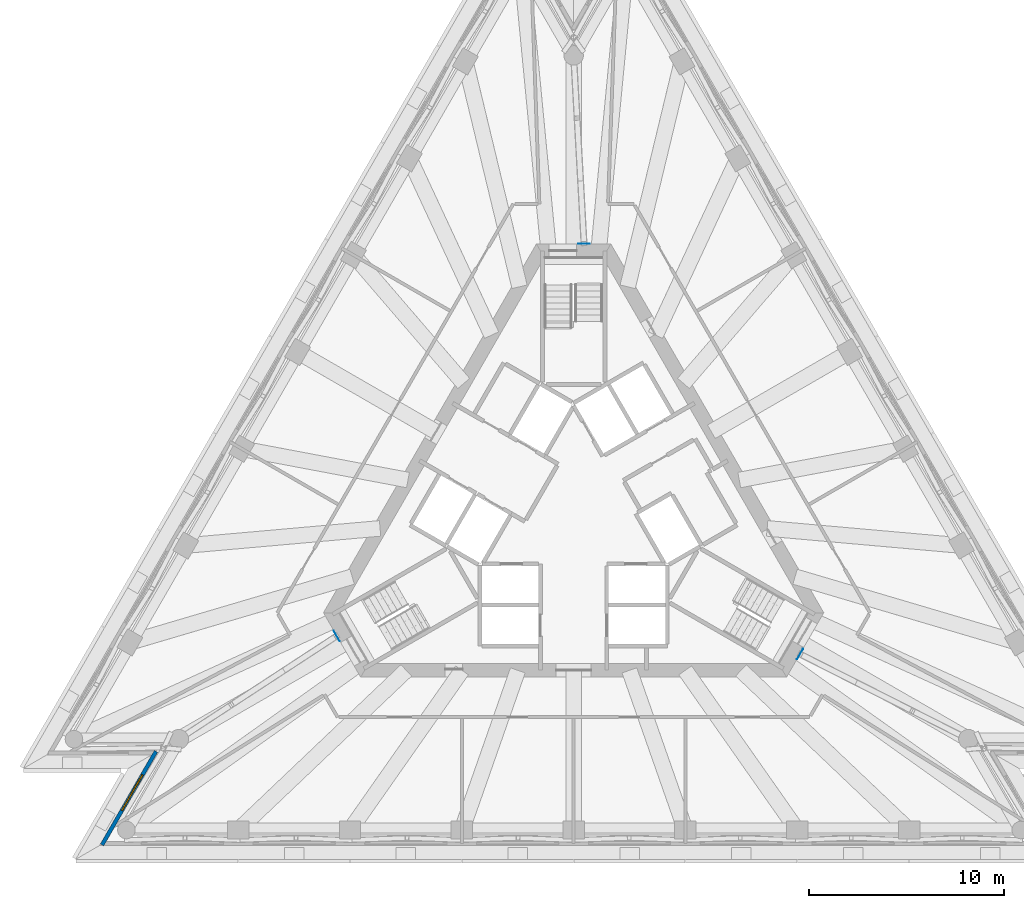
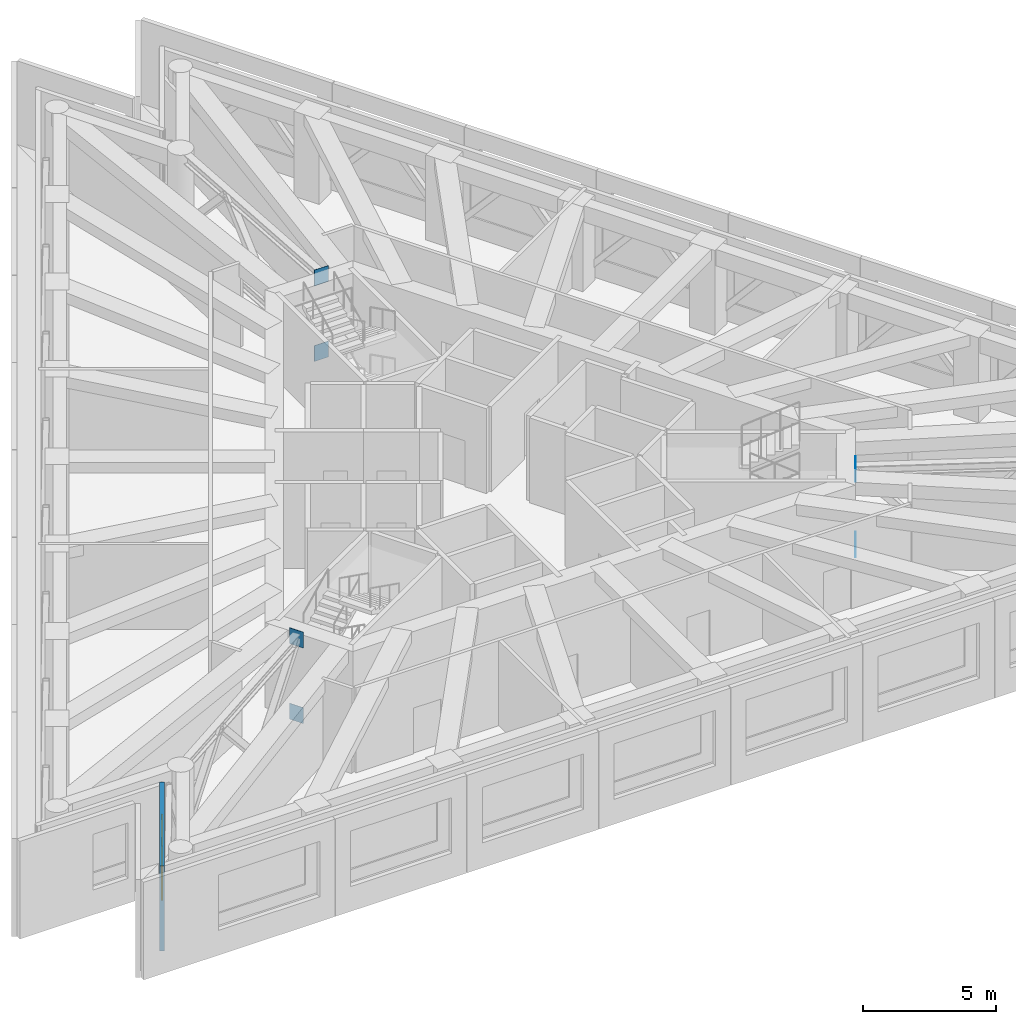
# One storey, part 5 of 12: 6 plates, 1 wall, 1 window, 1 opening.
"""IFC4 building model written with IfcOpenShell, lengths in metres."""

from ifc_helpers import new_model, si_unit, direction, frame, frame_2d, origin, origin_2d, place, context, subcontext, project, spatial, rectangle, extrude, material, layer, layer_set, layer_usage, type_object, element, fill, save


model = new_model("IFC4")

# Units and contexts
model_context = context("Model", 3, precision=1e-05, world=origin(), true_north=direction((0.0, 1.0)))
body_context = subcontext(model_context, "Body", "Model", "MODEL_VIEW")
ifc_project = project(units=[si_unit("LENGTHUNIT", "METRE"), si_unit("AREAUNIT", "SQUARE_METRE"), si_unit("VOLUMEUNIT", "CUBIC_METRE"), si_unit("PLANEANGLEUNIT", "RADIAN"), si_unit("MASSUNIT", "GRAM", prefix="KILO")], contexts=[model_context])

# Site, building, storey
site_placement = place(None, origin())
site = spatial("IfcSite", under=ifc_project, at=site_placement, CompositionType="ELEMENT")
building_placement = place(site_placement, origin())
building = spatial("IfcBuilding", under=site, at=building_placement, Name="Triada Interchange Tower", CompositionType="ELEMENT")
storey_placement = place(building_placement, frame((0.0, 0.0, 251.300048828125)))
storey = spatial("IfcBuildingStorey", under=building, at=storey_placement, Name="L59", CompositionType="ELEMENT", Elevation=251.300048828125)

# Plates
ifc_material_1 = material(Name="Steel S460M", Category="steel")
ifc_layer_1 = layer(ifc_material_1, 0.01806640625)
ifc_layer_set_1 = layer_set([ifc_layer_1], Name="Outrigger end plate 18")
plate_type = type_object("IfcPlateType", Name="Outrigger end plate 18", PredefinedType="SHEET", material=ifc_layer_set_1)
for number, where, z_axis, x_axis, name in (
    (1, (0.533935546875, 13.708984375, -0.14990234375), (0.0, 0.0, 1.0), (0.0, 1.0, 0.0), "Outrigger end plate N bottom L59"),
    (2, (0.533935546875, 13.708984375, 3.31787109375), (0.0, 0.0, 1.0), (0.0, 1.0, 0.0), "Outrigger end plate N top L59"),
    (3, (-12.138916015625, -6.39208984375, -0.14990234375), (0.0, 0.0, 1.0), (-0.866025403784, -0.5, 0.0), "Outrigger end plate SW bottom L59"),
    (4, (-12.138916015625, -6.39208984375, 3.31787109375), (0.0, 0.0, 1.0), (-0.866025403784, -0.5, 0.0), "Outrigger end plate SW top L59"),
    (5, (11.60498046875, -7.31689453125, -0.14990234375), (0.0, 0.0, 1.0), (0.866025403784, -0.5, 0.0), "Outrigger end plate SE bottom L59"),
    (6, (11.60498046875, -7.31689453125, 3.31787109375), (0.0, 0.0, 1.0), (0.866025403784, -0.5, 0.0), "Outrigger end plate SE top L59"),
):
    element("IfcPlate", number, at=place(storey_placement, frame(where, z_axis=z_axis, x_axis=x_axis)), inside=storey, type_object=plate_type, Name=name, PredefinedType="SHEET", context=body_context, shape_type="SweptSolid", body=[
        extrude(rectangle(XDim=0.01806640625, YDim=0.60693359375, at=origin_2d()), origin(), (0.0, 0.0, 1.0), 0.73193359375),
    ])

# Wall, opening, window
ifc_material_2 = material(Name="Cement board")
ifc_layer_2 = layer(ifc_material_2, 0.02001953125, Name="Cement board cladding")
ifc_material_3 = material(Name="Sheathing board")
ifc_layer_3 = layer(ifc_material_3, 0.014892578125, Name="Sheathing board")
ifc_material_4 = material(Name="Mineral wool")
ifc_layer_4 = layer(ifc_material_4, 0.14990234375, Name="Mineral wool between steel studs")
ifc_material_5 = material(Name="Gypsum board")
ifc_layer_5 = layer(ifc_material_5, 0.014892578125, Name="Plasterboard lining")
ifc_layer_set_2 = layer_set([ifc_layer_2, ifc_layer_3, ifc_layer_4, ifc_layer_5], Name="External wall 200")
ifc_layer_usage = layer_usage(ifc_layer_set_2, "AXIS2", "POSITIVE", -0.10009765625)
wall_type = type_object("IfcWallType", Name="External wall 200", PredefinedType="ELEMENTEDWALL", material=ifc_layer_set_2)
wall_placement = place(storey_placement, frame((-21.39697265625, -12.301025390625, 0.0), z_axis=(0.0, 0.0, 1.0), x_axis=(-0.499926164748, -0.866068028391, 0.0)))
wall = element("IfcWall", 7, at=wall_placement, inside=storey, type_object=wall_type, material=ifc_layer_usage, Name="External wall L59 SW-2", PredefinedType="ELEMENTEDWALL", context=body_context, shape_type="SweptSolid", body=[
    extrude(rectangle(XDim=5.532958984375, YDim=0.199951171875, at=frame_2d((2.7666015625, 0.0))), origin(), (0.0, 0.0, 1.0), 3.89990234375),
])
opening_placement = place(wall_placement, frame((1.389892578125, 0.0, 0.89990234375)))
opening = element("IfcOpeningElement", 8, at=opening_placement, cuts=wall, Name="Opening WC10", PredefinedType="OPENING", context=body_context, shape_type="SweptSolid", body=[
    extrude(rectangle(XDim=2.10009765625, YDim=2.5, at=frame_2d((1.050048828125, 1.25))), frame((0.0, 0.10986328125, 0.0), z_axis=(0.0, -1.0, 0.0), x_axis=(1.0, 0.0, 0.0)), (0.0, 0.0, 1.0), 0.219970703125),
])
ifc_material_6 = material(Name="Double glazed aluminium window", Category="aluminium")
window_type = type_object("IfcWindowType", Name="Ribbon window C pocket", PartitioningType="SINGLE_PANEL", PredefinedType="WINDOW", material=ifc_material_6)
window_placement = place(opening_placement, origin())
window = element("IfcWindow", 9, at=window_placement, inside=storey, type_object=window_type, Name="Window L59 SW-2 1", OverallHeight=2.5, OverallWidth=2.10009765625, PartitioningType="SINGLE_PANEL", PredefinedType="WINDOW", context=body_context, shape_type="SweptSolid", body=[
    extrude(rectangle(XDim=2.10009765625, YDim=2.5, at=frame_2d((1.050048828125, 1.25))), frame((0.0, 0.030029296875, 0.0), z_axis=(0.0, -1.0, 0.0), x_axis=(1.0, 0.0, 0.0)), (0.0, 0.0, 1.0), 0.06005859375),
])
fill(opening, window)

save(model, "model.ifc")
